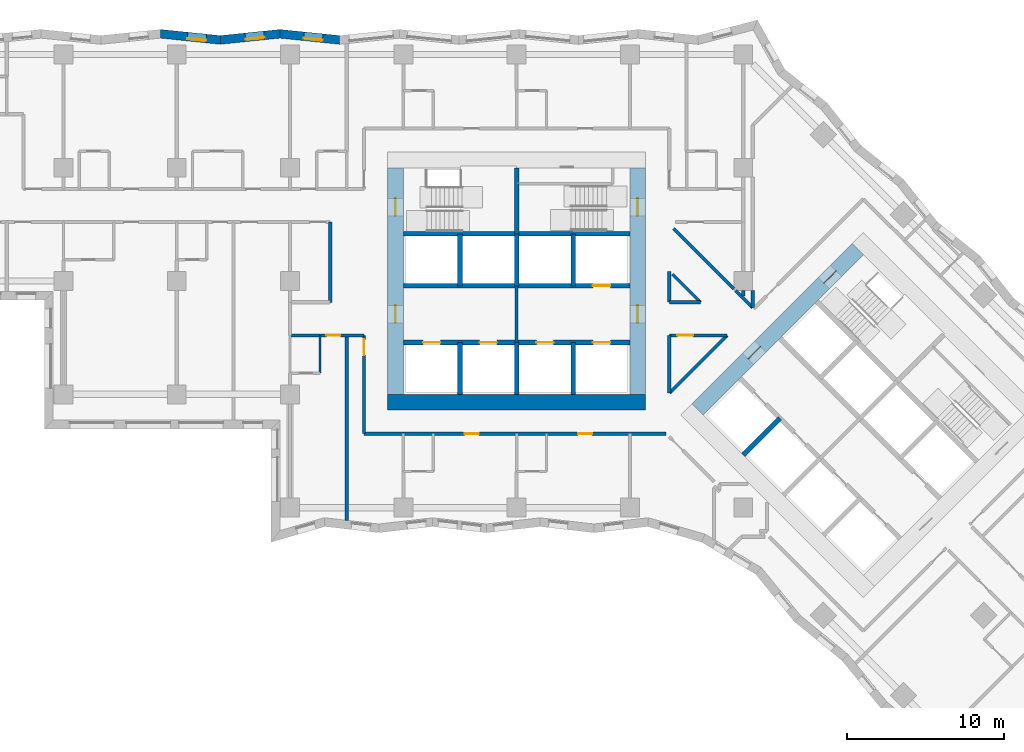
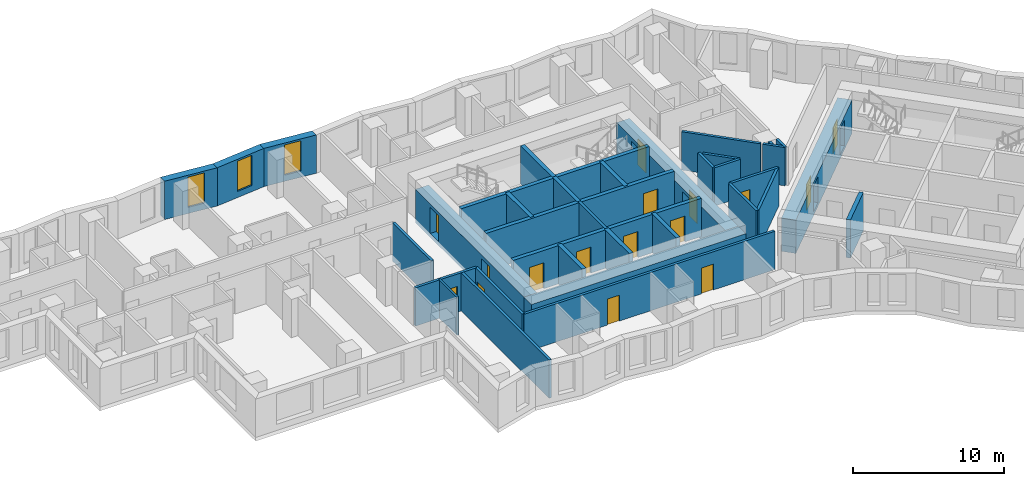
# One storey, part 5 of 12: 36 walls, 16 doors, 3 windows, 19 openings.
"""IFC4 building model written with IfcOpenShell, lengths in metres."""

from ifc_helpers import new_model, si_unit, direction, frame, frame_2d, origin, place, context, subcontext, project, spatial, polyline, rectangle, outline, extrude, material, layer, layer_set, type_object, element, fill, save


model = new_model("IFC4")

# Units and contexts
model_context = context("Model", 3, precision=1e-05, world=origin(), true_north=direction((0.0, 1.0)))
body_context = subcontext(model_context, "Body", "Model", "MODEL_VIEW")
ifc_project = project(units=[si_unit("LENGTHUNIT", "METRE"), si_unit("AREAUNIT", "SQUARE_METRE"), si_unit("VOLUMEUNIT", "CUBIC_METRE"), si_unit("PLANEANGLEUNIT", "RADIAN"), si_unit("MASSUNIT", "GRAM", prefix="KILO")], contexts=[model_context])

# Site, building, storey
site_placement = place(None, origin())
site = spatial("IfcSite", under=ifc_project, at=site_placement, CompositionType="ELEMENT")
building_placement = place(site_placement, origin())
building = spatial("IfcBuilding", under=site, at=building_placement, Name="Windrow Commons", CompositionType="ELEMENT")
storey_placement = place(building_placement, frame((0.0, 0.0, 37.2)))
storey = spatial("IfcBuildingStorey", under=building, at=storey_placement, Name="L09", CompositionType="ELEMENT", Elevation=37.2)

# Wall, opening, window
ifc_material_1 = material(Name="Brick masonry, red clay brick", Category="masonry")
ifc_layer_1 = layer(ifc_material_1, 0.55)
ifc_layer_set_1 = layer_set([ifc_layer_1], Name="Brick facade wall 550")
wall_type_1 = type_object("IfcWallType", Name="Brick facade wall 550", PredefinedType="SOLIDWALL", material=ifc_layer_set_1)
wall_1_placement = place(storey_placement, frame((53.552, 72.9235, 0.0), z_axis=(0.0, 0.0, 1.0), x_axis=(-0.9947306832, 0.1025225234, 0.0)))
wall_1 = element("IfcWall", 1, at=wall_1_placement, inside=storey, type_object=wall_type_1, Name="Brick facade wall L09 30", PredefinedType="SOLIDWALL", context=body_context, shape_type="SweptSolid", body=[
    extrude(outline(polyline([(0.0283, -0.275), (3.8421, -0.275), (3.7854, 0.275), (-0.0283, 0.275), (0.0283, -0.275)])), origin(), (0.0, 0.0, 1.0), 3.1),
])
opening_1_placement = place(wall_1_placement, frame((1.0843, 0.0, 0.5)))
opening_1 = element("IfcOpeningElement", 2, at=opening_1_placement, cuts=wall_1, Name="Opening W7D", PredefinedType="OPENING", context=body_context, shape_type="SweptSolid", body=[
    extrude(rectangle(XDim=1.2, YDim=2.45, at=frame_2d((0.6, 1.225))), frame((0.0, 0.285, 0.0), z_axis=(0.0, -1.0, 0.0), x_axis=(1.0, 0.0, 0.0)), (0.0, 0.0, 1.0), 0.57),
])
ifc_material_2 = material(Name="Clear float glass in anodised aluminium frame", Category="aluminium")
window_type = type_object("IfcWindowType", Name="Window W7 notch 1200x2450", PartitioningType="SINGLE_PANEL", PredefinedType="WINDOW", material=ifc_material_2)
window_1_placement = place(opening_1_placement, origin())
window_1 = element("IfcWindow", 3, at=window_1_placement, inside=storey, type_object=window_type, Name="Window L09 30.1", OverallHeight=2.45, OverallWidth=1.2, PartitioningType="SINGLE_PANEL", PredefinedType="WINDOW", context=body_context, shape_type="SweptSolid", body=[
    extrude(rectangle(XDim=1.2, YDim=2.45, at=frame_2d((0.6, 1.225))), frame((0.0, 0.155, 0.0), z_axis=(0.0, -1.0, 0.0), x_axis=(1.0, 0.0, 0.0)), (0.0, 0.0, 1.0), 0.06),
])
fill(opening_1, window_1)

wall_2_placement = place(storey_placement, frame((49.7583, 73.3145, 0.0), z_axis=(0.0, 0.0, 1.0), x_axis=(-0.9947306832, -0.1025225234, 0.0)))
wall_2 = element("IfcWall", 4, at=wall_2_placement, inside=storey, type_object=wall_type_1, Name="Brick facade wall L09 31", PredefinedType="SOLIDWALL", context=body_context, shape_type="SweptSolid", body=[
    extrude(outline(polyline([(-0.0283, -0.275), (3.7854, -0.275), (3.8421, 0.275), (0.0283, 0.275), (-0.0283, -0.275)])), origin(), (0.0, 0.0, 1.0), 3.1),
])
opening_2_placement = place(wall_2_placement, frame((1.0012, 0.0, 0.5)))
opening_2 = element("IfcOpeningElement", 5, at=opening_2_placement, cuts=wall_2, Name="Opening W7D", PredefinedType="OPENING", context=body_context, shape_type="SweptSolid", body=[
    extrude(rectangle(XDim=1.2, YDim=2.45, at=frame_2d((0.6, 1.225))), frame((0.0, 0.285, 0.0), z_axis=(0.0, -1.0, 0.0), x_axis=(1.0, 0.0, 0.0)), (0.0, 0.0, 1.0), 0.57),
])
window_2_placement = place(opening_2_placement, origin())
window_2 = element("IfcWindow", 6, at=window_2_placement, inside=storey, type_object=window_type, Name="Window L09 31.1", OverallHeight=2.45, OverallWidth=1.2, PartitioningType="SINGLE_PANEL", PredefinedType="WINDOW", context=body_context, shape_type="SweptSolid", body=[
    extrude(rectangle(XDim=1.2, YDim=2.45, at=frame_2d((0.6, 1.225))), frame((0.0, 0.155, 0.0), z_axis=(0.0, -1.0, 0.0), x_axis=(1.0, 0.0, 0.0)), (0.0, 0.0, 1.0), 0.06),
])
fill(opening_2, window_2)

wall_3_placement = place(storey_placement, frame((45.9646, 72.9235, 0.0), z_axis=(0.0, 0.0, 1.0), x_axis=(-0.9947304076, 0.1025251975, 0.0)))
wall_3 = element("IfcWall", 7, at=wall_3_placement, inside=storey, type_object=wall_type_1, Name="Brick facade wall L09 32", PredefinedType="SOLIDWALL", context=body_context, shape_type="SweptSolid", body=[
    extrude(outline(polyline([(0.0283, -0.275), (3.8421, -0.275), (3.7854, 0.275), (-0.0283, 0.275), (0.0283, -0.275)])), origin(), (0.0, 0.0, 1.0), 3.1),
])
opening_3_placement = place(wall_3_placement, frame((0.8896, 0.0, 0.5)))
opening_3 = element("IfcOpeningElement", 8, at=opening_3_placement, cuts=wall_3, Name="Opening W7D", PredefinedType="OPENING", context=body_context, shape_type="SweptSolid", body=[
    extrude(rectangle(XDim=1.2, YDim=2.45, at=frame_2d((0.6, 1.225))), frame((0.0, 0.285, 0.0), z_axis=(0.0, -1.0, 0.0), x_axis=(1.0, 0.0, 0.0)), (0.0, 0.0, 1.0), 0.57),
])
window_3_placement = place(opening_3_placement, origin())
window_3 = element("IfcWindow", 9, at=window_3_placement, inside=storey, type_object=window_type, Name="Window L09 32.1", OverallHeight=2.45, OverallWidth=1.2, PartitioningType="SINGLE_PANEL", PredefinedType="WINDOW", context=body_context, shape_type="SweptSolid", body=[
    extrude(rectangle(XDim=1.2, YDim=2.45, at=frame_2d((0.6, 1.225))), frame((0.0, 0.155, 0.0), z_axis=(0.0, -1.0, 0.0), x_axis=(1.0, 0.0, 0.0)), (0.0, 0.0, 1.0), 0.06),
])
fill(opening_3, window_3)

# Wall
ifc_material_3 = material(Name="Blockwork partition", Category="masonry")
ifc_layer_2 = layer(ifc_material_3, 0.2)
ifc_layer_set_2 = layer_set([ifc_layer_2], Name="Fire lobby partition 200")
wall_type_2 = type_object("IfcWallType", Name="Fire lobby partition 200", PredefinedType="PARTITIONING", material=ifc_layer_set_2)
wall_4_placement = place(storey_placement, frame((64.8, 53.7, 0.0), z_axis=(0.0, 0.0, 1.0), x_axis=(0.0, 1.0, 0.0)))
element("IfcWall", 10, at=wall_4_placement, inside=storey, type_object=wall_type_2, Name="W-core-lobby-A-L09", PredefinedType="PARTITIONING", context=body_context, shape_type="SweptSolid", body=[
    extrude(rectangle(XDim=3.6, YDim=0.2, at=frame_2d((1.8, 0.0))), origin(), (0.0, 0.0, 1.0), 3.1),
])

# Wall, openings, doors
ifc_material_4 = material(Name="Blockwork partition", Category="masonry")
ifc_layer_3 = layer(ifc_material_4, 0.2)
ifc_layer_set_3 = layer_set([ifc_layer_3], Name="IW-CORRIDOR-200")
wall_type_3 = type_object("IfcWallType", Name="IW-CORRIDOR-200", PredefinedType="PARTITIONING", material=ifc_layer_set_3)
wall_5_placement = place(storey_placement, frame((55.1, 47.9, 0.0), z_axis=(0.0, 0.0, 1.0), x_axis=(1.0, 0.0, 0.0)))
wall_5 = element("IfcWall", 11, at=wall_5_placement, inside=storey, type_object=wall_type_3, Name="W-L09-W003", PredefinedType="PARTITIONING", context=body_context, shape_type="SweptSolid", body=[
    extrude(rectangle(XDim=19.204, YDim=0.2, at=frame_2d((9.602, 0.0))), origin(), (0.0, 0.0, 1.0), 3.1),
])
opening_4_placement = place(wall_5_placement, frame((6.3994, 0.0, 0.0)))
opening_4 = element("IfcOpeningElement", 12, at=opening_4_placement, cuts=wall_5, Name="Opening D109F", PredefinedType="OPENING", context=body_context, shape_type="SweptSolid", body=[
    extrude(rectangle(XDim=0.9, YDim=2.1, at=frame_2d((0.45, 1.05))), frame((0.0, 0.11, 0.0), z_axis=(0.0, -1.0, 0.0), x_axis=(1.0, 0.0, 0.0)), (0.0, 0.0, 1.0), 0.22),
])
opening_5_placement = place(wall_5_placement, frame((13.5994, 0.0, 0.0)))
opening_5 = element("IfcOpeningElement", 13, at=opening_5_placement, cuts=wall_5, Name="Opening D109F", PredefinedType="OPENING", context=body_context, shape_type="SweptSolid", body=[
    extrude(rectangle(XDim=0.9, YDim=2.1, at=frame_2d((0.45, 1.05))), frame((0.0, 0.11, 0.0), z_axis=(0.0, -1.0, 0.0), x_axis=(1.0, 0.0, 0.0)), (0.0, 0.0, 1.0), 0.22),
])
ifc_material_5 = material(Name="Timber door leaf", Category="wood")
door_type_1 = type_object("IfcDoorType", Name="DT-BEDROOM-900", OperationType="SINGLE_SWING_LEFT", PredefinedType="DOOR", material=ifc_material_5)
door_1_placement = place(opening_4_placement, origin())
door_1 = element("IfcDoor", 14, at=door_1_placement, inside=storey, type_object=door_type_1, Name="D-L09-D032", OperationType="SINGLE_SWING_LEFT", OverallHeight=2.1, OverallWidth=0.9, PredefinedType="DOOR", context=body_context, shape_type="SweptSolid", body=[
    extrude(rectangle(XDim=0.9, YDim=2.1, at=frame_2d((0.45, 1.05))), frame((0.0, 0.025, 0.0), z_axis=(0.0, -1.0, 0.0), x_axis=(1.0, 0.0, 0.0)), (0.0, 0.0, 1.0), 0.05),
])
fill(opening_4, door_1)
door_2_placement = place(opening_5_placement, origin())
door_2 = element("IfcDoor", 15, at=door_2_placement, inside=storey, type_object=door_type_1, Name="D-L09-D034", OperationType="SINGLE_SWING_LEFT", OverallHeight=2.1, OverallWidth=0.9, PredefinedType="DOOR", context=body_context, shape_type="SweptSolid", body=[
    extrude(rectangle(XDim=0.9, YDim=2.1, at=frame_2d((0.45, 1.05))), frame((0.0, 0.025, 0.0), z_axis=(0.0, -1.0, 0.0), x_axis=(1.0, 0.0, 0.0)), (0.0, 0.0, 1.0), 0.05),
])
fill(opening_5, door_2)

# Wall, opening, door
wall_6_placement = place(storey_placement, frame((55.1, 47.9, 0.0), z_axis=(0.0, 0.0, 1.0), x_axis=(0.0, 1.0, 0.0)))
wall_6 = element("IfcWall", 16, at=wall_6_placement, inside=storey, type_object=wall_type_3, Name="W-L09-W023", PredefinedType="PARTITIONING", context=body_context, shape_type="SweptSolid", body=[
    extrude(rectangle(XDim=6.25, YDim=0.2, at=frame_2d((3.125, 0.0))), origin(), (0.0, 0.0, 1.0), 3.1),
])
opening_6_placement = place(wall_6_placement, frame((4.9905, 0.0, 0.0)))
opening_6 = element("IfcOpeningElement", 17, at=opening_6_placement, cuts=wall_6, Name="Opening D310F", PredefinedType="OPENING", context=body_context, shape_type="SweptSolid", body=[
    extrude(rectangle(XDim=1.0, YDim=2.1, at=frame_2d((0.5, 1.05))), frame((0.0, 0.11, 0.0), z_axis=(0.0, -1.0, 0.0), x_axis=(1.0, 0.0, 0.0)), (0.0, 0.0, 1.0), 0.22),
])
ifc_material_6 = material(Name="Timber door leaf", Category="wood")
door_type_2 = type_object("IfcDoorType", Name="DT-AMENITY-1000", OperationType="SINGLE_SWING_LEFT", PredefinedType="DOOR", material=ifc_material_6)
door_3_placement = place(opening_6_placement, origin())
door_3 = element("IfcDoor", 18, at=door_3_placement, inside=storey, type_object=door_type_2, Name="D-L09-D027", OperationType="SINGLE_SWING_RIGHT", OverallHeight=2.1, OverallWidth=1.0, PredefinedType="DOOR", context=body_context, shape_type="SweptSolid", body=[
    extrude(rectangle(XDim=1.0, YDim=2.1, at=frame_2d((0.5, 1.05))), frame((0.0, 0.025, 0.0), z_axis=(0.0, -1.0, 0.0), x_axis=(1.0, 0.0, 0.0)), (0.0, 0.0, 1.0), 0.05),
])
fill(opening_6, door_3)

# Walls
wall_7_placement = place(storey_placement, frame((74.773, 60.935, 0.0), z_axis=(0.0, 0.0, 1.0), x_axis=(0.7071067812, -0.7071067812, 0.0)))
element("IfcWall", 19, at=wall_7_placement, inside=storey, type_object=wall_type_3, Name="W-L09-W037", PredefinedType="PARTITIONING", context=body_context, shape_type="SweptSolid", body=[
    extrude(rectangle(XDim=5.408, YDim=0.2, at=frame_2d((2.704, 0.0))), origin(), (0.0, 0.0, 1.0), 3.1),
])
wall_8_placement = place(storey_placement, frame((74.5167, 50.4893, 0.0), z_axis=(0.0, 0.0, 1.0), x_axis=(0.7071067812, 0.7071067812, 0.0)))
element("IfcWall", 20, at=wall_8_placement, inside=storey, type_object=wall_type_3, Name="W-L09-W039", PredefinedType="PARTITIONING", context=body_context, shape_type="SweptSolid", body=[
    extrude(rectangle(XDim=5.176, YDim=0.2, at=frame_2d((2.588, 0.0))), origin(), (0.0, 0.0, 1.0), 3.1),
])
wall_9_placement = place(storey_placement, frame((52.95, 56.252, 0.0), z_axis=(0.0, 0.0, 1.0), x_axis=(0.0, 1.0, 0.0)))
element("IfcWall", 21, at=wall_9_placement, inside=storey, type_object=wall_type_3, Name="W-L09-W040", PredefinedType="PARTITIONING", context=body_context, shape_type="SweptSolid", body=[
    extrude(rectangle(XDim=5.098, YDim=0.2, at=frame_2d((2.549, 0.0))), origin(), (0.0, 0.0, 1.0), 3.1),
])

# Wall, opening, door
wall_10_placement = place(storey_placement, frame((50.4, 54.15, 0.0), z_axis=(0.0, 0.0, 1.0), x_axis=(1.0, 0.0, 0.0)))
wall_10 = element("IfcWall", 22, at=wall_10_placement, inside=storey, type_object=wall_type_3, Name="W-L09-W042", PredefinedType="PARTITIONING", context=body_context, shape_type="SweptSolid", body=[
    extrude(rectangle(XDim=4.7, YDim=0.2, at=frame_2d((2.35, 0.0))), origin(), (0.0, 0.0, 1.0), 3.1),
])
opening_7_placement = place(wall_10_placement, frame((2.3, 0.0, 0.0)))
opening_7 = element("IfcOpeningElement", 23, at=opening_7_placement, cuts=wall_10, Name="Opening D109S", PredefinedType="OPENING", context=body_context, shape_type="SweptSolid", body=[
    extrude(rectangle(XDim=0.9, YDim=2.1, at=frame_2d((0.45, 1.05))), frame((0.0, 0.11, 0.0), z_axis=(0.0, -1.0, 0.0), x_axis=(1.0, 0.0, 0.0)), (0.0, 0.0, 1.0), 0.22),
])
door_4_placement = place(opening_7_placement, origin())
door_4 = element("IfcDoor", 24, at=door_4_placement, inside=storey, type_object=door_type_1, Name="D-L09-D025", OperationType="SINGLE_SWING_LEFT", OverallHeight=2.1, OverallWidth=0.9, PredefinedType="DOOR", context=body_context, shape_type="SweptSolid", body=[
    extrude(rectangle(XDim=0.9, YDim=2.1, at=frame_2d((0.45, 1.05))), frame((0.0, 0.025, 0.0), z_axis=(0.0, -1.0, 0.0), x_axis=(1.0, 0.0, 0.0)), (0.0, 0.0, 1.0), 0.05),
])
fill(opening_7, door_4)

wall_11_placement = place(storey_placement, frame((74.51, 54.15, 0.0), z_axis=(0.0, 0.0, 1.0), x_axis=(1.0, 0.0, 0.0)))
wall_11 = element("IfcWall", 25, at=wall_11_placement, inside=storey, type_object=wall_type_3, Name="W-L09-W053", PredefinedType="PARTITIONING", context=body_context, shape_type="SweptSolid", body=[
    extrude(rectangle(XDim=3.666, YDim=0.2, at=frame_2d((1.833, 0.0))), origin(), (0.0, 0.0, 1.0), 3.1),
])
opening_8_placement = place(wall_11_placement, frame((0.5025, 0.0, 0.0)))
opening_8 = element("IfcOpeningElement", 26, at=opening_8_placement, cuts=wall_11, Name="Opening D310F", PredefinedType="OPENING", context=body_context, shape_type="SweptSolid", body=[
    extrude(rectangle(XDim=1.0, YDim=2.1, at=frame_2d((0.5, 1.05))), frame((0.0, 0.11, 0.0), z_axis=(0.0, -1.0, 0.0), x_axis=(1.0, 0.0, 0.0)), (0.0, 0.0, 1.0), 0.22),
])
door_5_placement = place(opening_8_placement, origin())
door_5 = element("IfcDoor", 27, at=door_5_placement, inside=storey, type_object=door_type_2, Name="D-L09-D000", OperationType="SINGLE_SWING_RIGHT", OverallHeight=2.1, OverallWidth=1.0, PredefinedType="DOOR", context=body_context, shape_type="SweptSolid", body=[
    extrude(rectangle(XDim=1.0, YDim=2.1, at=frame_2d((0.5, 1.05))), frame((0.0, 0.025, 0.0), z_axis=(0.0, -1.0, 0.0), x_axis=(1.0, 0.0, 0.0)), (0.0, 0.0, 1.0), 0.05),
])
fill(opening_8, door_5)

# Walls
wall_12_placement = place(storey_placement, frame((74.5, 50.496, 0.0), z_axis=(0.0, 0.0, 1.0), x_axis=(0.0, 1.0, 0.0)))
element("IfcWall", 28, at=wall_12_placement, inside=storey, type_object=wall_type_3, Name="W-L09-W054", PredefinedType="PARTITIONING", context=body_context, shape_type="SweptSolid", body=[
    extrude(rectangle(XDim=3.644, YDim=0.2, at=frame_2d((1.822, 0.0))), origin(), (0.0, 0.0, 1.0), 3.1),
])
wall_13_placement = place(storey_placement, frame((74.697, 58.041, 0.0), z_axis=(0.0, 0.0, 1.0), x_axis=(0.7071067812, -0.7071067812, 0.0)))
element("IfcWall", 29, at=wall_13_placement, inside=storey, type_object=wall_type_3, Name="W-L09-W068", PredefinedType="PARTITIONING", context=body_context, shape_type="SweptSolid", body=[
    extrude(rectangle(XDim=2.5343, YDim=0.2, at=frame_2d((1.2671, 0.0))), origin(), (0.0, 0.0, 1.0), 3.1),
])
wall_14_placement = place(storey_placement, frame((74.51, 56.25, 0.0), z_axis=(0.0, 0.0, 1.0), x_axis=(1.0, 0.0, 0.0)))
element("IfcWall", 30, at=wall_14_placement, inside=storey, type_object=wall_type_3, Name="W-L09-W121", PredefinedType="PARTITIONING", context=body_context, shape_type="SweptSolid", body=[
    extrude(rectangle(XDim=1.982, YDim=0.2, at=frame_2d((0.991, 0.0))), origin(), (0.0, 0.0, 1.0), 3.1),
])
wall_15_placement = place(storey_placement, frame((74.5, 56.26, 0.0), z_axis=(0.0, 0.0, 1.0), x_axis=(0.0, 1.0, 0.0)))
element("IfcWall", 31, at=wall_15_placement, inside=storey, type_object=wall_type_3, Name="W-L09-W122", PredefinedType="PARTITIONING", context=body_context, shape_type="SweptSolid", body=[
    extrude(rectangle(XDim=1.96, YDim=0.2, at=frame_2d((0.98, 0.0))), origin(), (0.0, 0.0, 1.0), 3.1),
])
wall_16_placement = place(storey_placement, frame((78.711, 56.997, 0.0), z_axis=(0.0, 0.0, 1.0), x_axis=(0.7071067812, -0.7071067812, 0.0)))
element("IfcWall", 32, at=wall_16_placement, inside=storey, type_object=wall_type_3, Name="W-L09-W151", PredefinedType="PARTITIONING", context=body_context, shape_type="SweptSolid", body=[
    extrude(rectangle(XDim=1.5358, YDim=0.2, at=frame_2d((0.7679, 0.0))), origin(), (0.0, 0.0, 1.0), 3.1),
])
ifc_material_7 = material(Name="Blockwork partition", Category="masonry")
ifc_layer_4 = layer(ifc_material_7, 0.15)
ifc_layer_set_4 = layer_set([ifc_layer_4], Name="IW-ENSUITE-150")
wall_type_4 = type_object("IfcWallType", Name="IW-ENSUITE-150", PredefinedType="PARTITIONING", material=ifc_layer_set_4)
wall_17_placement = place(storey_placement, frame((52.3, 51.75, 0.0), z_axis=(0.0, 0.0, 1.0), x_axis=(0.0, 1.0, 0.0)))
element("IfcWall", 33, at=wall_17_placement, inside=storey, type_object=wall_type_4, Name="W-L09-W086", PredefinedType="PARTITIONING", context=body_context, shape_type="SweptSolid", body=[
    extrude(rectangle(XDim=2.4, YDim=0.15, at=frame_2d((1.2, 0.0))), origin(), (0.0, 0.0, 1.0), 3.1),
])
ifc_material_8 = material(Name="Blockwork partition", Category="masonry")
ifc_layer_5 = layer(ifc_material_8, 0.2)
ifc_layer_set_5 = layer_set([ifc_layer_5], Name="IW-PARTY-200")
wall_type_5 = type_object("IfcWallType", Name="IW-PARTY-200", PredefinedType="PARTITIONING", material=ifc_layer_set_5)
wall_18_placement = place(storey_placement, frame((54.0, 42.3955, 0.0), z_axis=(0.0, 0.0, 1.0), x_axis=(0.0, 1.0, 0.0)))
element("IfcWall", 34, at=wall_18_placement, inside=storey, type_object=wall_type_5, Name="W-L09-W008", PredefinedType="PARTITIONING", context=body_context, shape_type="SweptSolid", body=[
    extrude(rectangle(XDim=11.7545, YDim=0.2, at=frame_2d((5.8773, 0.0))), origin(), (0.0, 0.0, 1.0), 3.1),
])
wall_19_placement = place(storey_placement, frame((79.8, 55.914, 0.0), z_axis=(0.0, 0.0, 1.0), x_axis=(0.0, 1.0, 0.0)))
element("IfcWall", 35, at=wall_19_placement, inside=storey, type_object=wall_type_5, Name="W-L09-W154", PredefinedType="PARTITIONING", context=body_context, shape_type="SweptSolid", body=[
    extrude(rectangle(XDim=1.086, YDim=0.2, at=frame_2d((0.543, 0.0))), origin(), (0.0, 0.0, 1.0), 3.1),
])
wall_20_placement = place(storey_placement, frame((79.2, 56.644, 0.0), z_axis=(0.0, 0.0, 1.0), x_axis=(0.0, 1.0, 0.0)))
element("IfcWall", 36, at=wall_20_placement, inside=storey, type_object=wall_type_5, Name="W-L09-W189", PredefinedType="PARTITIONING", context=body_context, shape_type="SweptSolid", body=[
    extrude(rectangle(XDim=0.356, YDim=0.2, at=frame_2d((0.178, 0.0))), origin(), (0.0, 0.0, 1.0), 3.1),
])
ifc_material_9 = material(Name="Concrete C60/75", Category="concrete")
ifc_layer_6 = layer(ifc_material_9, 1.0)
ifc_layer_set_6 = layer_set([ifc_layer_6], Name="RC CORE WALL 1000 C60/75")
wall_type_6 = type_object("IfcWallType", Name="RC CORE WALL 1000 C60/75", PredefinedType="SHEAR", material=ifc_layer_set_6)
wall_21_placement = place(storey_placement, frame((56.6, 49.9, -0.3), z_axis=(0.0, 0.0, 1.0), x_axis=(1.0, 0.0, 0.0)))
element("IfcWall", 37, at=wall_21_placement, inside=storey, type_object=wall_type_6, Name="Core A wall outer-S", PredefinedType="SHEAR", context=body_context, shape_type="SweptSolid", body=[
    extrude(rectangle(XDim=16.4, YDim=1.0, at=frame_2d((8.2, 0.0))), origin(), (0.0, 0.0, 1.0), 2.7),
])

# Wall, openings, doors
wall_22_placement = place(storey_placement, frame((57.1, 50.4, -0.3), z_axis=(0.0, 0.0, 1.0), x_axis=(0.0, 1.0, 0.0)))
wall_22 = element("IfcWall", 38, at=wall_22_placement, inside=storey, type_object=wall_type_6, Name="Core A wall outer-W", PredefinedType="SHEAR", context=body_context, shape_type="SweptSolid", body=[
    extrude(rectangle(XDim=14.4, YDim=1.0, at=frame_2d((7.2, 0.0))), origin(), (0.0, 0.0, 1.0), 2.7),
])
opening_9_placement = place(wall_22_placement, frame((4.55, 0.0, 0.3)))
opening_9 = element("IfcOpeningElement", 39, at=opening_9_placement, cuts=wall_22, Name="Opening D6", PredefinedType="OPENING", context=body_context, shape_type="SweptSolid", body=[
    extrude(rectangle(XDim=1.1, YDim=2.1, at=frame_2d((0.55, 1.05))), frame((0.0, 0.51, 0.0), z_axis=(0.0, -1.0, 0.0), x_axis=(1.0, 0.0, 0.0)), (0.0, 0.0, 1.0), 1.02),
])
opening_10_placement = place(wall_22_placement, frame((11.35, 0.0, 0.3)))
opening_10 = element("IfcOpeningElement", 40, at=opening_10_placement, cuts=wall_22, Name="Opening D7", PredefinedType="OPENING", context=body_context, shape_type="SweptSolid", body=[
    extrude(rectangle(XDim=1.1, YDim=2.1, at=frame_2d((0.55, 1.05))), frame((0.0, 0.51, 0.0), z_axis=(0.0, -1.0, 0.0), x_axis=(1.0, 0.0, 0.0)), (0.0, 0.0, 1.0), 1.02),
])
ifc_material_10 = material(Name="Steel fire door leaf", Category="steel")
door_type_3 = type_object("IfcDoorType", Name="Core lobby door 1100", OperationType="SINGLE_SWING_LEFT", PredefinedType="DOOR", material=ifc_material_10)
door_6_placement = place(opening_9_placement, origin())
door_6 = element("IfcDoor", 41, at=door_6_placement, inside=storey, type_object=door_type_3, Name="Lift lobby door", OperationType="DOUBLE_DOOR_SINGLE_SWING", OverallHeight=2.1, OverallWidth=1.1, PredefinedType="DOOR", context=body_context, shape_type="SweptSolid", body=[
    extrude(rectangle(XDim=1.1, YDim=2.1, at=frame_2d((0.55, 1.05))), frame((0.0, 0.025, 0.0), z_axis=(0.0, -1.0, 0.0), x_axis=(1.0, 0.0, 0.0)), (0.0, 0.0, 1.0), 0.05),
])
fill(opening_9, door_6)
ifc_material_11 = material(Name="Steel fire door leaf", Category="steel")
door_type_4 = type_object("IfcDoorType", Name="Stair door 1100", OperationType="SINGLE_SWING_LEFT", PredefinedType="DOOR", material=ifc_material_11)
door_7_placement = place(opening_10_placement, origin())
door_7 = element("IfcDoor", 42, at=door_7_placement, inside=storey, type_object=door_type_4, Name="Stair door", OperationType="SINGLE_SWING_LEFT", OverallHeight=2.1, OverallWidth=1.1, PredefinedType="DOOR", context=body_context, shape_type="SweptSolid", body=[
    extrude(rectangle(XDim=1.1, YDim=2.1, at=frame_2d((0.55, 1.05))), frame((0.0, 0.025, 0.0), z_axis=(0.0, -1.0, 0.0), x_axis=(1.0, 0.0, 0.0)), (0.0, 0.0, 1.0), 0.05),
])
fill(opening_10, door_7)

wall_23_placement = place(storey_placement, frame((72.5, 50.4, -0.3), z_axis=(0.0, 0.0, 1.0), x_axis=(0.0, 1.0, 0.0)))
wall_23 = element("IfcWall", 43, at=wall_23_placement, inside=storey, type_object=wall_type_6, Name="Core A wall outer-E", PredefinedType="SHEAR", context=body_context, shape_type="SweptSolid", body=[
    extrude(rectangle(XDim=14.4, YDim=1.0, at=frame_2d((7.2, 0.0))), origin(), (0.0, 0.0, 1.0), 2.7),
])
opening_11_placement = place(wall_23_placement, frame((4.55, 0.0, 0.3)))
opening_11 = element("IfcOpeningElement", 44, at=opening_11_placement, cuts=wall_23, Name="Opening D6", PredefinedType="OPENING", context=body_context, shape_type="SweptSolid", body=[
    extrude(rectangle(XDim=1.1, YDim=2.1, at=frame_2d((0.55, 1.05))), frame((0.0, 0.51, 0.0), z_axis=(0.0, -1.0, 0.0), x_axis=(1.0, 0.0, 0.0)), (0.0, 0.0, 1.0), 1.02),
])
opening_12_placement = place(wall_23_placement, frame((11.35, 0.0, 0.3)))
opening_12 = element("IfcOpeningElement", 45, at=opening_12_placement, cuts=wall_23, Name="Opening D7", PredefinedType="OPENING", context=body_context, shape_type="SweptSolid", body=[
    extrude(rectangle(XDim=1.1, YDim=2.1, at=frame_2d((0.55, 1.05))), frame((0.0, 0.51, 0.0), z_axis=(0.0, -1.0, 0.0), x_axis=(1.0, 0.0, 0.0)), (0.0, 0.0, 1.0), 1.02),
])
door_8_placement = place(opening_11_placement, origin())
door_8 = element("IfcDoor", 46, at=door_8_placement, inside=storey, type_object=door_type_3, Name="Lift lobby door", OperationType="DOUBLE_DOOR_SINGLE_SWING", OverallHeight=2.1, OverallWidth=1.1, PredefinedType="DOOR", context=body_context, shape_type="SweptSolid", body=[
    extrude(rectangle(XDim=1.1, YDim=2.1, at=frame_2d((0.55, 1.05))), frame((0.0, 0.025, 0.0), z_axis=(0.0, -1.0, 0.0), x_axis=(1.0, 0.0, 0.0)), (0.0, 0.0, 1.0), 0.05),
])
fill(opening_11, door_8)
door_9_placement = place(opening_12_placement, origin())
door_9 = element("IfcDoor", 47, at=door_9_placement, inside=storey, type_object=door_type_4, Name="Stair door", OperationType="SINGLE_SWING_RIGHT", OverallHeight=2.1, OverallWidth=1.1, PredefinedType="DOOR", context=body_context, shape_type="SweptSolid", body=[
    extrude(rectangle(XDim=1.1, YDim=2.1, at=frame_2d((0.55, 1.05))), frame((0.0, 0.025, 0.0), z_axis=(0.0, -1.0, 0.0), x_axis=(1.0, 0.0, 0.0)), (0.0, 0.0, 1.0), 0.05),
])
fill(opening_12, door_9)

wall_24_placement = place(storey_placement, frame((76.3009, 49.4433, -0.3), z_axis=(0.0, 0.0, 1.0), x_axis=(0.7071067812, 0.7071067812, 0.0)))
wall_24 = element("IfcWall", 48, at=wall_24_placement, inside=storey, type_object=wall_type_6, Name="Core B wall outer-W", PredefinedType="SHEAR", context=body_context, shape_type="SweptSolid", body=[
    extrude(rectangle(XDim=14.3999, YDim=1.0, at=frame_2d((7.2, 0.0))), origin(), (0.0, 0.0, 1.0), 2.7),
])
opening_13_placement = place(wall_24_placement, frame((4.55, 0.0, 0.3)))
opening_13 = element("IfcOpeningElement", 49, at=opening_13_placement, cuts=wall_24, Name="Opening D6", PredefinedType="OPENING", context=body_context, shape_type="SweptSolid", body=[
    extrude(rectangle(XDim=1.1, YDim=2.1, at=frame_2d((0.55, 1.05))), frame((0.0, 0.51, 0.0), z_axis=(0.0, -1.0, 0.0), x_axis=(1.0, 0.0, 0.0)), (0.0, 0.0, 1.0), 1.02),
])
opening_14_placement = place(wall_24_placement, frame((11.35, 0.0, 0.3)))
opening_14 = element("IfcOpeningElement", 50, at=opening_14_placement, cuts=wall_24, Name="Opening D7", PredefinedType="OPENING", context=body_context, shape_type="SweptSolid", body=[
    extrude(rectangle(XDim=1.1, YDim=2.1, at=frame_2d((0.55, 1.05))), frame((0.0, 0.51, 0.0), z_axis=(0.0, -1.0, 0.0), x_axis=(1.0, 0.0, 0.0)), (0.0, 0.0, 1.0), 1.02),
])
door_10_placement = place(opening_13_placement, origin())
door_10 = element("IfcDoor", 51, at=door_10_placement, inside=storey, type_object=door_type_3, Name="Lift lobby door", OperationType="DOUBLE_DOOR_SINGLE_SWING", OverallHeight=2.1, OverallWidth=1.1, PredefinedType="DOOR", context=body_context, shape_type="SweptSolid", body=[
    extrude(rectangle(XDim=1.1, YDim=2.1, at=frame_2d((0.55, 1.05))), frame((0.0, 0.025, 0.0), z_axis=(0.0, -1.0, 0.0), x_axis=(1.0, 0.0, 0.0)), (0.0, 0.0, 1.0), 0.05),
])
fill(opening_13, door_10)
door_11_placement = place(opening_14_placement, origin())
door_11 = element("IfcDoor", 52, at=door_11_placement, inside=storey, type_object=door_type_4, Name="Stair door", OperationType="SINGLE_SWING_LEFT", OverallHeight=2.1, OverallWidth=1.1, PredefinedType="DOOR", context=body_context, shape_type="SweptSolid", body=[
    extrude(rectangle(XDim=1.1, YDim=2.1, at=frame_2d((0.55, 1.05))), frame((0.0, 0.025, 0.0), z_axis=(0.0, -1.0, 0.0), x_axis=(1.0, 0.0, 0.0)), (0.0, 0.0, 1.0), 0.05),
])
fill(opening_14, door_11)

# Walls
ifc_material_12 = material(Name="Concrete C60/75", Category="concrete")
ifc_layer_7 = layer(ifc_material_12, 0.3)
ifc_layer_set_7 = layer_set([ifc_layer_7], Name="RC SHAFT WALL 300 C60/75")
wall_type_7 = type_object("IfcWallType", Name="RC SHAFT WALL 300 C60/75", PredefinedType="SOLIDWALL", material=ifc_layer_set_7)
for number, where, z_axis, x_axis, name in (
    (53, (61.2, 50.4, 0.0), (0.0, 0.0, 1.0), (0.0, 1.0, 0.0), "Core A wall shaft-S1"),
    (54, (61.2, 57.3, 0.0), (0.0, 0.0, 1.0), (0.0, 1.0, 0.0), "Core A wall shaft-N1"),
    (55, (64.8, 50.4, 0.0), (0.0, 0.0, 1.0), (0.0, 1.0, 0.0), "Core A wall shaft-S2"),
    (56, (64.8, 57.3, 0.0), (0.0, 0.0, 1.0), (0.0, 1.0, 0.0), "Core A wall shaft-N2"),
    (57, (68.4, 50.4, 0.0), (0.0, 0.0, 1.0), (0.0, 1.0, 0.0), "Core A wall shaft-S3"),
    (58, (68.4, 57.3, 0.0), (0.0, 0.0, 1.0), (0.0, 1.0, 0.0), "Core A wall shaft-N3"),
):
    element("IfcWall", number, at=place(storey_placement, frame(where, z_axis=z_axis, x_axis=x_axis)), inside=storey, type_object=wall_type_7, Name=name, PredefinedType="SOLIDWALL", context=body_context, shape_type="SweptSolid", body=[
        extrude(rectangle(XDim=3.3, YDim=0.3, at=frame_2d((1.65, 0.0))), origin(), (0.0, 0.0, 1.0), 3.1),
    ])

# Wall, openings, doors
wall_25_placement = place(storey_placement, frame((57.6, 53.7, 0.0), z_axis=(0.0, 0.0, 1.0), x_axis=(1.0, 0.0, 0.0)))
wall_25 = element("IfcWall", 59, at=wall_25_placement, inside=storey, type_object=wall_type_7, Name="Core A wall lobby-S", PredefinedType="SOLIDWALL", context=body_context, shape_type="SweptSolid", body=[
    extrude(rectangle(XDim=14.4, YDim=0.3, at=frame_2d((7.2, 0.0))), origin(), (0.0, 0.0, 1.0), 3.1),
])
opening_15_placement = place(wall_25_placement, frame((1.25, 0.0, 0.0)))
opening_15 = element("IfcOpeningElement", 60, at=opening_15_placement, cuts=wall_25, Name="Opening LD", PredefinedType="OPENING", context=body_context, shape_type="SweptSolid", body=[
    extrude(rectangle(XDim=1.1, YDim=2.1, at=frame_2d((0.55, 1.05))), frame((0.0, 0.16, 0.0), z_axis=(0.0, -1.0, 0.0), x_axis=(1.0, 0.0, 0.0)), (0.0, 0.0, 1.0), 0.32),
])
opening_16_placement = place(wall_25_placement, frame((4.85, 0.0, 0.0)))
opening_16 = element("IfcOpeningElement", 61, at=opening_16_placement, cuts=wall_25, Name="Opening LD", PredefinedType="OPENING", context=body_context, shape_type="SweptSolid", body=[
    extrude(rectangle(XDim=1.1, YDim=2.1, at=frame_2d((0.55, 1.05))), frame((0.0, 0.16, 0.0), z_axis=(0.0, -1.0, 0.0), x_axis=(1.0, 0.0, 0.0)), (0.0, 0.0, 1.0), 0.32),
])
opening_17_placement = place(wall_25_placement, frame((8.45, 0.0, 0.0)))
opening_17 = element("IfcOpeningElement", 62, at=opening_17_placement, cuts=wall_25, Name="Opening LD", PredefinedType="OPENING", context=body_context, shape_type="SweptSolid", body=[
    extrude(rectangle(XDim=1.1, YDim=2.1, at=frame_2d((0.55, 1.05))), frame((0.0, 0.16, 0.0), z_axis=(0.0, -1.0, 0.0), x_axis=(1.0, 0.0, 0.0)), (0.0, 0.0, 1.0), 0.32),
])
opening_18_placement = place(wall_25_placement, frame((12.05, 0.0, 0.0)))
opening_18 = element("IfcOpeningElement", 63, at=opening_18_placement, cuts=wall_25, Name="Opening LD", PredefinedType="OPENING", context=body_context, shape_type="SweptSolid", body=[
    extrude(rectangle(XDim=1.1, YDim=2.1, at=frame_2d((0.55, 1.05))), frame((0.0, 0.16, 0.0), z_axis=(0.0, -1.0, 0.0), x_axis=(1.0, 0.0, 0.0)), (0.0, 0.0, 1.0), 0.32),
])
ifc_material_13 = material(Name="Stainless steel door leaf", Category="steel")
door_type_5 = type_object("IfcDoorType", Name="Lift landing door 1100", OperationType="SLIDING_TO_LEFT", PredefinedType="DOOR", material=ifc_material_13)
door_12_placement = place(opening_15_placement, origin())
door_12 = element("IfcDoor", 64, at=door_12_placement, inside=storey, type_object=door_type_5, Name="Lift landing door", OperationType="SLIDING_TO_LEFT", OverallHeight=2.1, OverallWidth=1.1, PredefinedType="DOOR", context=body_context, shape_type="SweptSolid", body=[
    extrude(rectangle(XDim=1.1, YDim=2.1, at=frame_2d((0.55, 1.05))), frame((0.0, 0.025, 0.0), z_axis=(0.0, -1.0, 0.0), x_axis=(1.0, 0.0, 0.0)), (0.0, 0.0, 1.0), 0.05),
])
fill(opening_15, door_12)
door_13_placement = place(opening_16_placement, origin())
door_13 = element("IfcDoor", 65, at=door_13_placement, inside=storey, type_object=door_type_5, Name="Lift landing door", OperationType="SLIDING_TO_RIGHT", OverallHeight=2.1, OverallWidth=1.1, PredefinedType="DOOR", context=body_context, shape_type="SweptSolid", body=[
    extrude(rectangle(XDim=1.1, YDim=2.1, at=frame_2d((0.55, 1.05))), frame((0.0, 0.025, 0.0), z_axis=(0.0, -1.0, 0.0), x_axis=(1.0, 0.0, 0.0)), (0.0, 0.0, 1.0), 0.05),
])
fill(opening_16, door_13)
door_14_placement = place(opening_17_placement, origin())
door_14 = element("IfcDoor", 66, at=door_14_placement, inside=storey, type_object=door_type_5, Name="Lift landing door", OperationType="SLIDING_TO_LEFT", OverallHeight=2.1, OverallWidth=1.1, PredefinedType="DOOR", context=body_context, shape_type="SweptSolid", body=[
    extrude(rectangle(XDim=1.1, YDim=2.1, at=frame_2d((0.55, 1.05))), frame((0.0, 0.025, 0.0), z_axis=(0.0, -1.0, 0.0), x_axis=(1.0, 0.0, 0.0)), (0.0, 0.0, 1.0), 0.05),
])
fill(opening_17, door_14)
door_15_placement = place(opening_18_placement, origin())
door_15 = element("IfcDoor", 67, at=door_15_placement, inside=storey, type_object=door_type_5, Name="Lift landing door", OperationType="SLIDING_TO_RIGHT", OverallHeight=2.1, OverallWidth=1.1, PredefinedType="DOOR", context=body_context, shape_type="SweptSolid", body=[
    extrude(rectangle(XDim=1.1, YDim=2.1, at=frame_2d((0.55, 1.05))), frame((0.0, 0.025, 0.0), z_axis=(0.0, -1.0, 0.0), x_axis=(1.0, 0.0, 0.0)), (0.0, 0.0, 1.0), 0.05),
])
fill(opening_18, door_15)

# Wall, opening, door
wall_26_placement = place(storey_placement, frame((57.6, 57.3, 0.0), z_axis=(0.0, 0.0, 1.0), x_axis=(1.0, 0.0, 0.0)))
wall_26 = element("IfcWall", 68, at=wall_26_placement, inside=storey, type_object=wall_type_7, Name="Core A wall lobby-N", PredefinedType="SOLIDWALL", context=body_context, shape_type="SweptSolid", body=[
    extrude(rectangle(XDim=14.4, YDim=0.3, at=frame_2d((7.2, 0.0))), origin(), (0.0, 0.0, 1.0), 3.1),
])
opening_19_placement = place(wall_26_placement, frame((12.05, 0.0, 0.0)))
opening_19 = element("IfcOpeningElement", 69, at=opening_19_placement, cuts=wall_26, Name="Opening LD", PredefinedType="OPENING", context=body_context, shape_type="SweptSolid", body=[
    extrude(rectangle(XDim=1.1, YDim=2.1, at=frame_2d((0.55, 1.05))), frame((0.0, 0.16, 0.0), z_axis=(0.0, -1.0, 0.0), x_axis=(1.0, 0.0, 0.0)), (0.0, 0.0, 1.0), 0.32),
])
door_16_placement = place(opening_19_placement, origin())
door_16 = element("IfcDoor", 70, at=door_16_placement, inside=storey, type_object=door_type_5, Name="Lift landing door", OperationType="SLIDING_TO_RIGHT", OverallHeight=2.1, OverallWidth=1.1, PredefinedType="DOOR", context=body_context, shape_type="SweptSolid", body=[
    extrude(rectangle(XDim=1.1, YDim=2.1, at=frame_2d((0.55, 1.05))), frame((0.0, 0.025, 0.0), z_axis=(0.0, -1.0, 0.0), x_axis=(1.0, 0.0, 0.0)), (0.0, 0.0, 1.0), 0.05),
])
fill(opening_19, door_16)

# Walls
for number, where, z_axis, x_axis, name in (
    (71, (57.6, 60.6, 0.0), (0.0, 0.0, 1.0), (1.0, 0.0, 0.0), "Core A wall stair-S"),
    (72, (64.8, 60.6, 0.0), (0.0, 0.0, 1.0), (1.0, 0.0, 0.0), "Core A wall stair-S2"),
):
    element("IfcWall", number, at=place(storey_placement, frame(where, z_axis=z_axis, x_axis=x_axis)), inside=storey, type_object=wall_type_7, Name=name, PredefinedType="SOLIDWALL", context=body_context, shape_type="SweptSolid", body=[
        extrude(rectangle(XDim=7.2, YDim=0.3, at=frame_2d((3.6, 0.0))), origin(), (0.0, 0.0, 1.0), 3.1),
    ])
wall_27_placement = place(storey_placement, frame((64.8, 60.6, 0.0), z_axis=(0.0, 0.0, 1.0), x_axis=(0.0, 1.0, 0.0)))
element("IfcWall", 73, at=wall_27_placement, inside=storey, type_object=wall_type_7, Name="Core A wall stair-mid", PredefinedType="SOLIDWALL", context=body_context, shape_type="SweptSolid", body=[
    extrude(rectangle(XDim=4.2, YDim=0.3, at=frame_2d((2.1, 0.0))), origin(), (0.0, 0.0, 1.0), 3.1),
])
wall_28_placement = place(storey_placement, frame((79.2, 46.5442, 0.0), z_axis=(0.0, 0.0, 1.0), x_axis=(0.7071219326, 0.7070916295, 0.0)))
element("IfcWall", 74, at=wall_28_placement, inside=storey, type_object=wall_type_7, Name="Core B wall shaft-S1", PredefinedType="SOLIDWALL", context=body_context, shape_type="SweptSolid", body=[
    extrude(rectangle(XDim=3.3, YDim=0.3, at=frame_2d((1.65, 0.0))), origin(), (0.0, 0.0, 1.0), 3.1),
])

save(model, "model.ifc")
